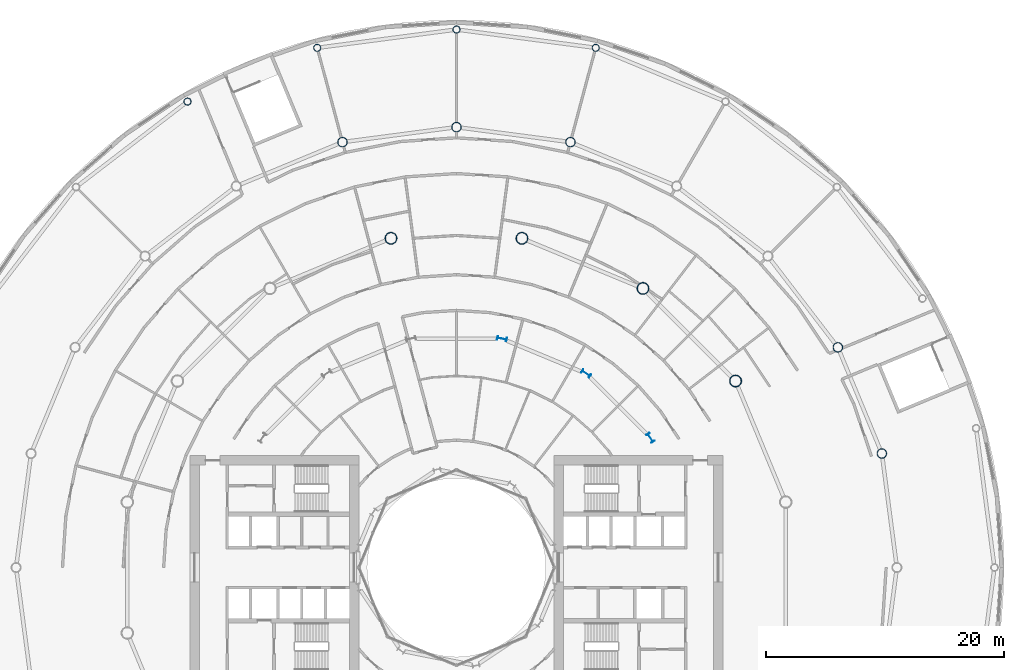
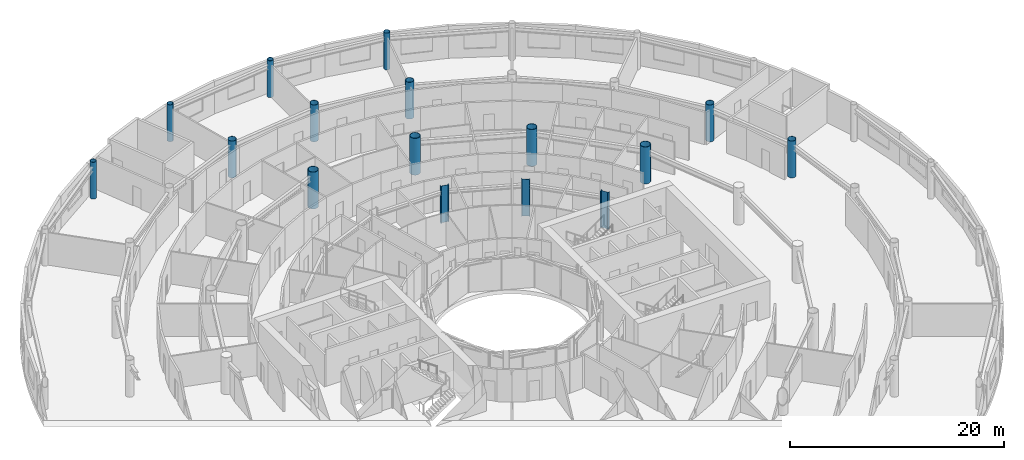
# One storey, part 5 of 29: 16 columns.
"""IFC4 building model written with IfcOpenShell, lengths in metres."""

from ifc_helpers import new_model, si_unit, direction, frame, origin, origin_2d, place, context, subcontext, project, spatial, hollow_circle, i_section, extrude, material, material_profile, profile_set, type_object, element, save


model = new_model("IFC4")

# Units and contexts
model_context = context("Model", 3, precision=1e-05, world=origin(), true_north=direction((0.0, 1.0)))
body_context = subcontext(model_context, "Body", "Model", "MODEL_VIEW")
ifc_project = project(units=[si_unit("LENGTHUNIT", "METRE"), si_unit("AREAUNIT", "SQUARE_METRE"), si_unit("VOLUMEUNIT", "CUBIC_METRE"), si_unit("PLANEANGLEUNIT", "RADIAN"), si_unit("MASSUNIT", "GRAM", prefix="KILO")], contexts=[model_context])

# Site, building, storey
site_placement = place(None, origin())
site = spatial("IfcSite", under=ifc_project, at=site_placement, CompositionType="ELEMENT")
building_placement = place(site_placement, origin())
building = spatial("IfcBuilding", under=site, at=building_placement, Name="Maasbend Ring Residences", CompositionType="ELEMENT")
storey_placement = place(building_placement, frame((0.0, 0.0, 5.39990234375)))
storey = spatial("IfcBuildingStorey", under=building, at=storey_placement, Name="L01", CompositionType="ELEMENT", Elevation=5.39990234375)

# Columns
ifc_material_1 = material(Name="Composite concrete-filled steel tube S460NH / C80/95", Category="concrete")
ifc_material_profile_1 = material_profile(ifc_material_1, hollow_circle(Radius=0.508056640625, WallThickness=0.050048828125, at=origin_2d()), Name="Composite tube column CHS 1016x50")
ifc_profile_set_1 = profile_set([ifc_material_profile_1], Name="Composite concrete-filled steel tube S460NH / C80/95")
column_type_1 = type_object("IfcColumnType", Name="Composite tube column CHS 1016x50", PredefinedType="COLUMN", material=ifc_profile_set_1)
for number, where, z_axis, x_axis, name in (
    (1, (23.447509765625, 15.6669921875, 0.0), (0.0, 0.0, 1.0), (1.0, 0.0, 0.0), "Outer column R2"),
    (2, (15.6669921875, 23.447509765625, 0.0), (0.0, 0.0, 1.0), (1.0, 0.0, 0.0), "Outer column R3"),
    (3, (5.50146484375, 27.658203125, 0.0), (0.0, 0.0, 1.0), (1.0, 0.0, 0.0), "Outer column R4"),
    (4, (-5.50146484375, 27.658203125, 0.0), (0.0, 0.0, 1.0), (1.0, 0.0, 0.0), "Outer column R5"),
):
    element("IfcColumn", number, at=place(storey_placement, frame(where, z_axis=z_axis, x_axis=x_axis)), inside=storey, type_object=column_type_1, Name=name, PredefinedType="COLUMN", context=body_context, shape_type="SweptSolid", body=[
        extrude(hollow_circle(Radius=0.508056640625, WallThickness=0.050048828125, at=origin_2d()), origin(), (0.0, 0.0, 1.0), 4.2001953125),
    ])
ifc_material_2 = material(Name="Composite concrete-filled steel tube S460NH / C80/95", Category="concrete")
ifc_material_profile_2 = material_profile(ifc_material_2, hollow_circle(Radius=0.304931640625, WallThickness=0.02490234375, at=origin_2d()), Name="Composite tube column CHS 610x25")
ifc_profile_set_2 = profile_set([ifc_material_profile_2], Name="Composite concrete-filled steel tube S460NH / C80/95")
column_type_2 = type_object("IfcColumnType", Name="Composite tube column CHS 610x25", PredefinedType="COLUMN", material=ifc_profile_set_2)
for number, where, z_axis, x_axis, name in (
    (5, (11.698486328125, 43.659912109375, 0.0), (0.0, 0.0, 1.0), (1.0, 0.0, 0.0), "Deck edge column B06"),
    (6, (0.0, 45.199951171875, 0.0), (0.0, 0.0, 1.0), (1.0, 0.0, 0.0), "Deck edge column B07"),
    (7, (-11.698486328125, 43.659912109375, 0.0), (0.0, 0.0, 1.0), (1.0, 0.0, 0.0), "Deck edge column B08"),
    (8, (-22.60009765625, 39.144287109375, 0.0), (0.0, 0.0, 1.0), (1.0, 0.0, 0.0), "Deck edge column B09"),
):
    element("IfcColumn", number, at=place(storey_placement, frame(where, z_axis=z_axis, x_axis=x_axis)), inside=storey, type_object=column_type_2, Name=name, PredefinedType="COLUMN", context=body_context, shape_type="SweptSolid", body=[
        extrude(hollow_circle(Radius=0.304931640625, WallThickness=0.02490234375, at=origin_2d()), origin(), (0.0, 0.0, 1.0), 4.2001953125),
    ])
ifc_material_3 = material(Name="Composite concrete-filled steel tube S460NH / C80/95", Category="concrete")
ifc_material_profile_3 = material_profile(ifc_material_3, hollow_circle(Radius=0.406494140625, WallThickness=0.030029296875, at=origin_2d()), Name="Composite tube column CHS 813x30")
ifc_profile_set_3 = profile_set([ifc_material_profile_3], Name="Composite concrete-filled steel tube S460NH / C80/95")
column_type_3 = type_object("IfcColumnType", Name="Composite tube column CHS 813x30", PredefinedType="COLUMN", material=ifc_profile_set_3)
for number, where, z_axis, x_axis, name in (
    (9, (35.7392578125, 9.576416015625, 0.0), (0.0, 0.0, 1.0), (1.0, 0.0, 0.0), "Podium column B02"),
    (10, (32.04296875, 18.5, 0.0), (0.0, 0.0, 1.0), (1.0, 0.0, 0.0), "Podium column B03"),
    (11, (9.576416015625, 35.7392578125, 0.0), (0.0, 0.0, 1.0), (1.0, 0.0, 0.0), "Podium column B06"),
    (12, (0.0, 37.0, 0.0), (0.0, 0.0, 1.0), (1.0, 0.0, 0.0), "Podium column B07"),
    (13, (-9.576416015625, 35.7392578125, 0.0), (0.0, 0.0, 1.0), (1.0, 0.0, 0.0), "Podium column B08"),
):
    element("IfcColumn", number, at=place(storey_placement, frame(where, z_axis=z_axis, x_axis=x_axis)), inside=storey, type_object=column_type_3, Name=name, PredefinedType="COLUMN", context=body_context, shape_type="SweptSolid", body=[
        extrude(hollow_circle(Radius=0.406494140625, WallThickness=0.030029296875, at=origin_2d()), origin(), (0.0, 0.0, 1.0), 4.2001953125),
    ])
ifc_material_4 = material(Name="Steel S460M", Category="steel")
ifc_material_profile_4 = material_profile(ifc_material_4, i_section(OverallWidth=0.302978515625, OverallDepth=0.81396484375, WebThickness=0.02099609375, FlangeThickness=0.0400390625, FilletRadius=0.030029296875, at=origin_2d()), Name="HEM 800")
ifc_profile_set_4 = profile_set([ifc_material_profile_4], Name="Steel S460M")
column_type_4 = type_object("IfcColumnType", Name="Steel column HEM 800", PredefinedType="COLUMN", material=ifc_profile_set_4)
for number, where, z_axis, x_axis, name in (
    (14, (16.296875, 10.88916015625, 0.0), (0.0, 0.0, 1.0), (0.831469612303, 0.55557023302, 0.0), "Corridor ring column R2"),
    (15, (10.88916015625, 16.296875, 0.0), (0.0, 0.0, 1.0), (0.55557023302, 0.831469612303, 0.0), "Corridor ring column R3"),
    (16, (3.82373046875, 19.223388671875, 0.0), (0.0, 0.0, 1.0), (0.195090322016, 0.980785280403, 0.0), "Corridor ring column R4"),
):
    element("IfcColumn", number, at=place(storey_placement, frame(where, z_axis=z_axis, x_axis=x_axis)), inside=storey, type_object=column_type_4, Name=name, PredefinedType="COLUMN", context=body_context, shape_type="SweptSolid", body=[
        extrude(i_section(OverallWidth=0.302978515625, OverallDepth=0.81396484375, WebThickness=0.02099609375, FlangeThickness=0.0400390625, FilletRadius=0.030029296875, at=origin_2d()), origin(), (0.0, 0.0, 1.0), 4.2001953125),
    ])

save(model, "model.ifc")
